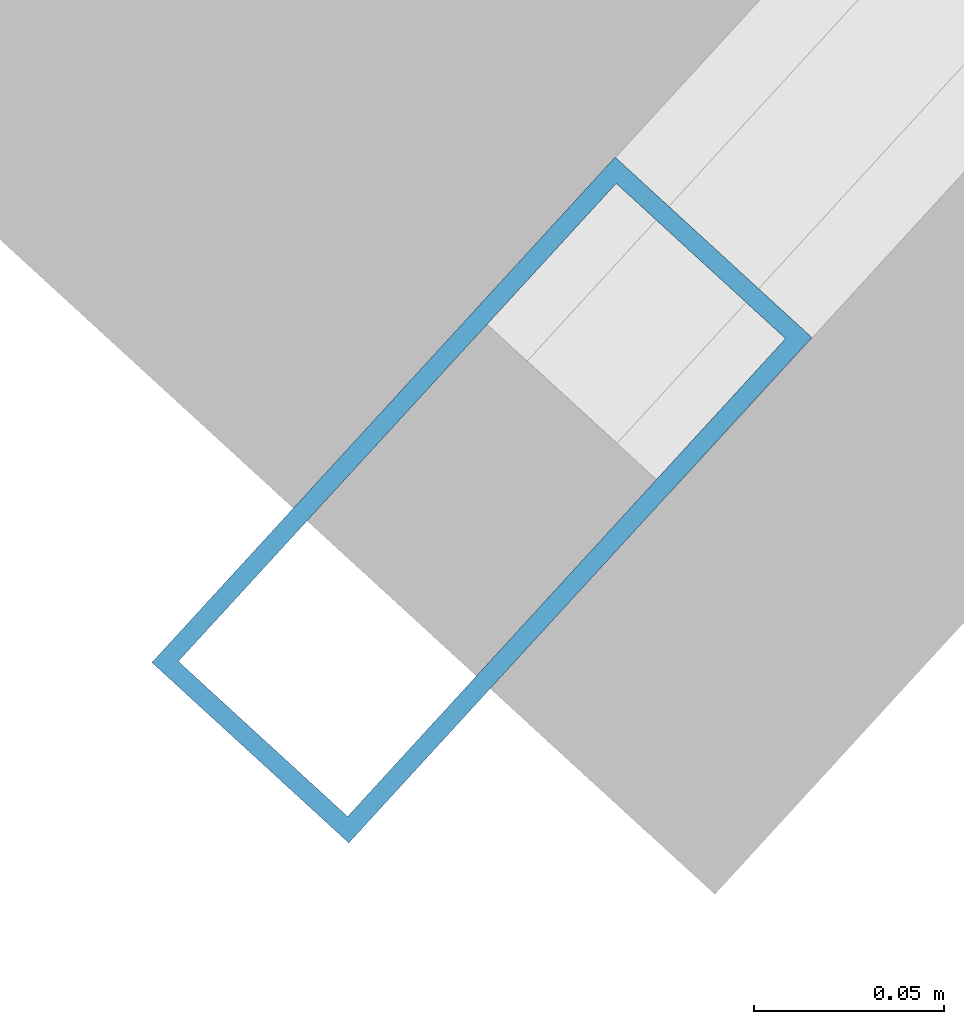
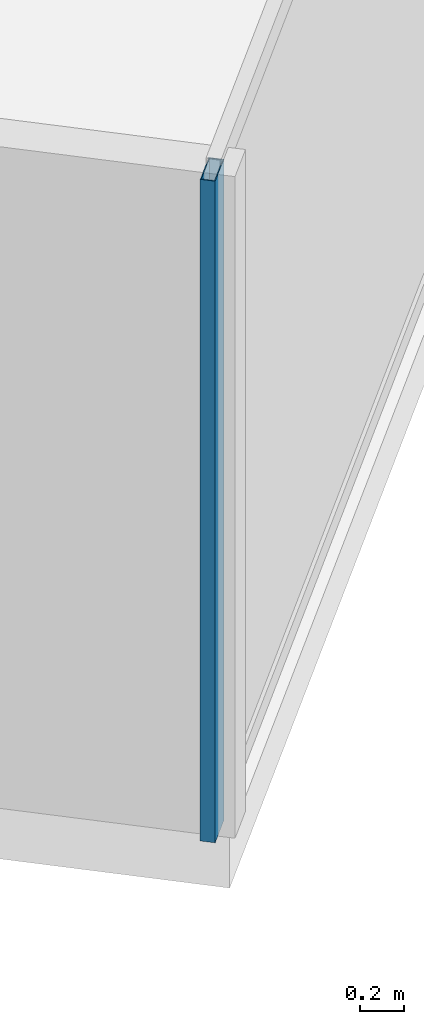
# One storey, part 4 of 26: 1 member, 1 element without a shape of its own.
"""IFC4 building model written with IfcOpenShell, lengths in metres."""

from ifc_helpers import new_model, si_unit, direction, frame, origin, origin_2d, place, context, subcontext, project, spatial, hollow_rectangle, extrude, source, transform, mapped, material, material_profile, profile_set, type_object, type_shapes, element, aggregate, save


model = new_model("IFC4")

# Units and contexts
model_context = context("Model", 3, precision=1e-05, world=origin(), true_north=direction((0.0, 1.0)))
body_context = subcontext(model_context, "Body", "Model", "MODEL_VIEW")
ifc_project = project(units=[si_unit("LENGTHUNIT", "METRE"), si_unit("AREAUNIT", "SQUARE_METRE"), si_unit("VOLUMEUNIT", "CUBIC_METRE"), si_unit("PLANEANGLEUNIT", "RADIAN"), si_unit("MASSUNIT", "GRAM", prefix="KILO")], contexts=[model_context])

# Site, building, storey
site_placement = place(None, origin())
site = spatial("IfcSite", under=ifc_project, at=site_placement, CompositionType="ELEMENT")
building_placement = place(site_placement, origin())
building = spatial("IfcBuilding", under=site, at=building_placement, Name="Krantzveldt Concourse Tower", CompositionType="ELEMENT")
storey_placement = place(building_placement, frame((0.0, 0.0, 227.050048828125)))
storey = spatial("IfcBuildingStorey", under=building, at=storey_placement, Name="L55", CompositionType="ELEMENT", Elevation=227.050048828125)

# Curtain wall, member
ifc_material = material(Name="Anodised aluminium 6063-T6", Category="aluminium")
curtain_wall_type = type_object("IfcCurtainWallType", Name="CW3", PredefinedType="USERDEFINED", material=ifc_material)
curtain_wall_placement = place(storey_placement, origin())
curtain_wall = element("IfcCurtainWall", 1, at=curtain_wall_placement, inside=storey, type_object=curtain_wall_type, Name="CW-L55-F07", ObjectType="UNITISED CURTAIN WALL", PredefinedType="USERDEFINED")
ifc_material_profile = material_profile(ifc_material, hollow_rectangle(XDim=0.070068359375, YDim=0.179931640625, WallThickness=0.0048828125, at=origin_2d()), Name="Anodised aluminium 6063-T6", Category="aluminium")
ifc_profile_set = profile_set([ifc_material_profile], Name="Anodised aluminium 6063-T6 - ALU-MULL 180x70x5")
member_type = type_object("IfcMemberType", Name="CW-MUL-180", PredefinedType="MULLION", material=ifc_profile_set)
shared_shape = source(origin(), body_context, "Body", "SweptSolid", [
    extrude(hollow_rectangle(XDim=0.070068359375, YDim=0.179931640625, WallThickness=0.0048828125, at=origin_2d()), origin(), (0.0, 0.0, 1.0), 3.669921875),
])
type_shapes(member_type, [shared_shape])
member_placement = place(storey_placement, frame((40.599853515625, 1.50927734375, 0.0), z_axis=(0.0, 0.0, 1.0), x_axis=(-0.737277769208, 0.675589735736, 0.0)))
member = element("IfcMember", 2, at=member_placement, type_object=member_type, Name="CW-Z34 mullion 1", PredefinedType="MULLION", context=body_context, shape_type="MappedRepresentation", body=[
    mapped(shared_shape, transform((0.0, 0.0, 0.0), x_axis=(1.0, 0.0, 0.0), y_axis=(0.0, 1.0, 0.0), z_axis=(0.0, 0.0, 1.0), scale=1.0)),
])
aggregate(curtain_wall, [member])

save(model, "model.ifc")
